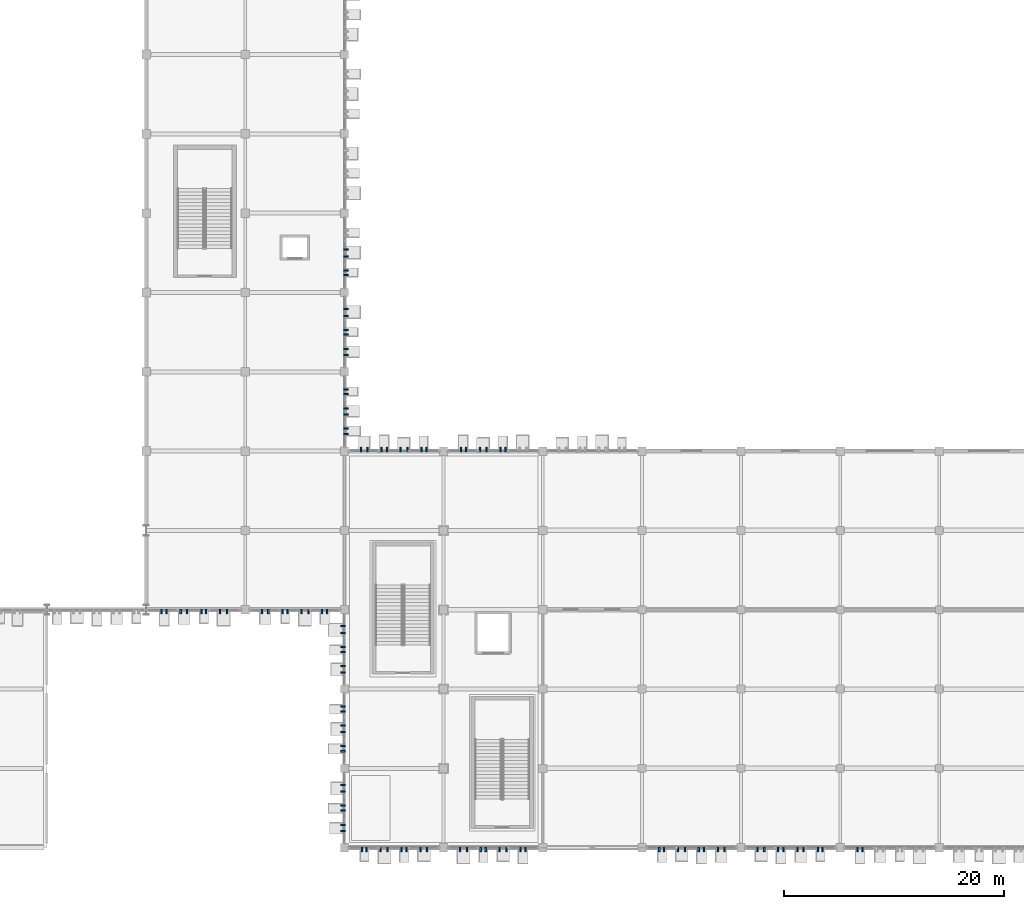
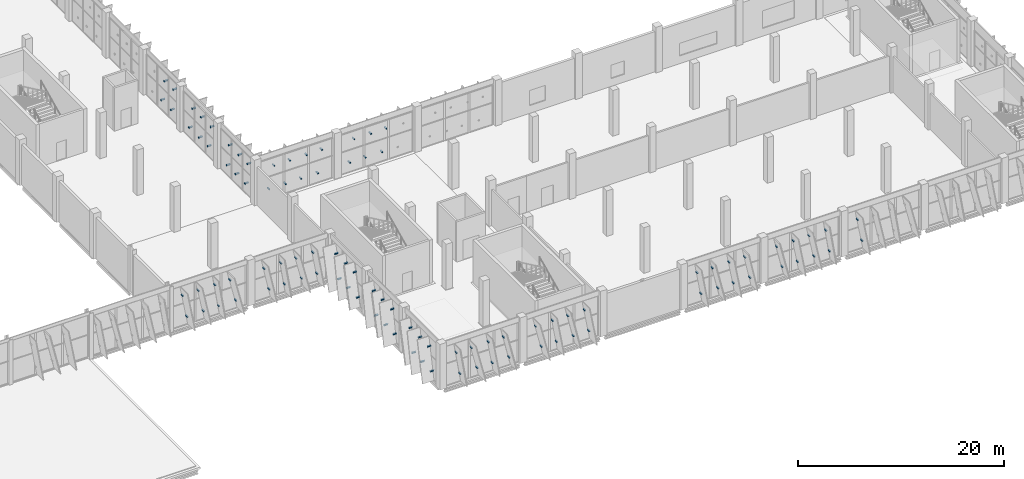
# One storey, part 150 of 189: 98 discrete accessories.
"""IFC4 building model written with IfcOpenShell, lengths in metres."""

from ifc_helpers import new_model, si_unit, direction, frame, origin, origin_2d, place, context, subcontext, project, spatial, rectangle, extrude, material, type_object, element, save


model = new_model("IFC4")

# Units and contexts
model_context = context("Model", 3, precision=1e-05, world=origin(), true_north=direction((0.0, 1.0)))
body_context = subcontext(model_context, "Body", "Model", "MODEL_VIEW")
ifc_project = project(units=[si_unit("LENGTHUNIT", "METRE"), si_unit("AREAUNIT", "SQUARE_METRE"), si_unit("VOLUMEUNIT", "CUBIC_METRE"), si_unit("PLANEANGLEUNIT", "RADIAN"), si_unit("MASSUNIT", "GRAM", prefix="KILO")], contexts=[model_context])

# Site, building, storey
site_placement = place(None, origin())
site = spatial("IfcSite", under=ifc_project, at=site_placement, CompositionType="ELEMENT")
building_placement = place(site_placement, origin())
building = spatial("IfcBuilding", under=site, at=building_placement, Name="Celestram Park Convention Centre", CompositionType="ELEMENT")
storey_placement = place(building_placement, frame((0.0, 0.0, 5.39990234375)))
storey = spatial("IfcBuildingStorey", under=building, at=storey_placement, Name="L01", CompositionType="ELEMENT", Elevation=5.39990234375)

# Discrete accessories
ifc_material = material(Name="Steel ASTM A500 Grade C", Category="steel")
discrete_accessory_type = type_object("IfcDiscreteAccessoryType", Name="ARC-BRK-OUT400", PredefinedType="BRACKET", material=ifc_material)
for number, where, z_axis, x_axis, name in (
    (1, (143.85009765625, 1.52099609375, 1.0107421875), (0.0, 0.0, 1.0), (-1.0, 0.0, 0.0), "Solar fin outrigger bracket BK-L01-0255"),
    (2, (143.85009765625, 2.0791015625, 3.61376953125), (0.0, 0.0, 1.0), (-1.0, 0.0, 0.0), "Solar fin outrigger bracket BK-L01-0256"),
    (3, (143.85009765625, 3.359619140625, 1.0029296875), (0.0, 0.0, 1.0), (-1.0, 0.0, 0.0), "Solar fin outrigger bracket BK-L01-0257"),
    (4, (143.85009765625, 3.84033203125, 3.62158203125), (0.0, 0.0, 1.0), (-1.0, 0.0, 0.0), "Solar fin outrigger bracket BK-L01-0258"),
    (5, (143.85009765625, 5.091552734375, 1.01708984375), (0.0, 0.0, 1.0), (-1.0, 0.0, 0.0), "Solar fin outrigger bracket BK-L01-0259"),
    (6, (143.85009765625, 5.70849609375, 3.60693359375), (0.0, 0.0, 1.0), (-1.0, 0.0, 0.0), "Solar fin outrigger bracket BK-L01-0260"),
    (7, (143.85009765625, 8.7568359375, 1.015625), (0.0, 0.0, 1.0), (-1.0, 0.0, 0.0), "Solar fin outrigger bracket BK-L01-0261"),
    (8, (143.85009765625, 9.2431640625, 3.6650390625), (0.0, 0.0, 1.0), (-1.0, 0.0, 0.0), "Solar fin outrigger bracket BK-L01-0262"),
    (9, (143.85009765625, 10.48779296875, 1.0302734375), (0.0, 0.0, 1.0), (-1.0, 0.0, 0.0), "Solar fin outrigger bracket BK-L01-0263"),
    (10, (143.85009765625, 11.112060546875, 3.650390625), (0.0, 0.0, 1.0), (-1.0, 0.0, 0.0), "Solar fin outrigger bracket BK-L01-0264"),
    (11, (143.85009765625, 12.370849609375, 1.01318359375), (0.0, 0.0, 1.0), (-1.0, 0.0, 0.0), "Solar fin outrigger bracket BK-L01-0265"),
    (12, (143.85009765625, 12.8291015625, 3.66748046875), (0.0, 0.0, 1.0), (-1.0, 0.0, 0.0), "Solar fin outrigger bracket BK-L01-0266"),
    (13, (143.85009765625, 15.888916015625, 1.0263671875), (0.0, 0.0, 1.0), (-1.0, 0.0, 0.0), "Solar fin outrigger bracket BK-L01-0267"),
    (14, (143.85009765625, 16.510986328125, 3.63818359375), (0.0, 0.0, 1.0), (-1.0, 0.0, 0.0), "Solar fin outrigger bracket BK-L01-0268"),
    (15, (143.85009765625, 17.771484375, 1.00927734375), (0.0, 0.0, 1.0), (-1.0, 0.0, 0.0), "Solar fin outrigger bracket BK-L01-0269"),
    (16, (143.85009765625, 18.228515625, 3.65478515625), (0.0, 0.0, 1.0), (-1.0, 0.0, 0.0), "Solar fin outrigger bracket BK-L01-0270"),
    (17, (143.85009765625, 19.479736328125, 1.0283203125), (0.0, 0.0, 1.0), (-1.0, 0.0, 0.0), "Solar fin outrigger bracket BK-L01-0271"),
    (18, (143.85009765625, 20.1201171875, 3.6357421875), (0.0, 0.0, 1.0), (-1.0, 0.0, 0.0), "Solar fin outrigger bracket BK-L01-0272"),
    (19, (142.428466796875, 21.449951171875, 1.00927734375), (0.0, 0.0, 1.0), (0.0, -1.0, 0.0), "Solar fin outrigger bracket BK-L01-0273"),
    (20, (141.971435546875, 21.449951171875, 3.65478515625), (0.0, 0.0, 1.0), (0.0, -1.0, 0.0), "Solar fin outrigger bracket BK-L01-0274"),
    (21, (140.72021484375, 21.449951171875, 1.0283203125), (0.0, 0.0, 1.0), (0.0, -1.0, 0.0), "Solar fin outrigger bracket BK-L01-0275"),
    (22, (140.079833984375, 21.449951171875, 3.6357421875), (0.0, 0.0, 1.0), (0.0, -1.0, 0.0), "Solar fin outrigger bracket BK-L01-0276"),
    (23, (138.814697265625, 21.449951171875, 1.0068359375), (0.0, 0.0, 1.0), (0.0, -1.0, 0.0), "Solar fin outrigger bracket BK-L01-0277"),
    (24, (138.385498046875, 21.449951171875, 3.6572265625), (0.0, 0.0, 1.0), (0.0, -1.0, 0.0), "Solar fin outrigger bracket BK-L01-0278"),
    (25, (137.081298828125, 21.449951171875, 1.01953125), (0.0, 0.0, 1.0), (0.0, -1.0, 0.0), "Solar fin outrigger bracket BK-L01-0279"),
    (26, (136.5185546875, 21.449951171875, 3.64453125), (0.0, 0.0, 1.0), (0.0, -1.0, 0.0), "Solar fin outrigger bracket BK-L01-0280"),
    (27, (133.338623046875, 21.449951171875, 1.0283203125), (0.0, 0.0, 1.0), (0.0, -1.0, 0.0), "Solar fin outrigger bracket BK-L01-0281"),
    (28, (132.6982421875, 21.449951171875, 3.6357421875), (0.0, 0.0, 1.0), (0.0, -1.0, 0.0), "Solar fin outrigger bracket BK-L01-0282"),
    (29, (131.43310546875, 21.449951171875, 1.0068359375), (0.0, 0.0, 1.0), (0.0, -1.0, 0.0), "Solar fin outrigger bracket BK-L01-0283"),
    (30, (131.00390625, 21.449951171875, 3.6572265625), (0.0, 0.0, 1.0), (0.0, -1.0, 0.0), "Solar fin outrigger bracket BK-L01-0284"),
    (31, (129.699951171875, 21.449951171875, 1.01953125), (0.0, 0.0, 1.0), (0.0, -1.0, 0.0), "Solar fin outrigger bracket BK-L01-0285"),
    (32, (129.13720703125, 21.449951171875, 3.64453125), (0.0, 0.0, 1.0), (0.0, -1.0, 0.0), "Solar fin outrigger bracket BK-L01-0286"),
    (33, (127.86083984375, 21.449951171875, 1.01171875), (0.0, 0.0, 1.0), (0.0, -1.0, 0.0), "Solar fin outrigger bracket BK-L01-0287"),
    (34, (127.376220703125, 21.449951171875, 3.65234375), (0.0, 0.0, 1.0), (0.0, -1.0, 0.0), "Solar fin outrigger bracket BK-L01-0288"),
    (35, (144.14990234375, 54.3212890625, 1.0322265625), (0.0, 0.0, 1.0), (1.0, 0.0, 0.0), "Solar fin outrigger bracket BK-L01-0569"),
    (36, (144.14990234375, 53.6787109375, 3.64794921875), (0.0, 0.0, 1.0), (1.0, 0.0, 0.0), "Solar fin outrigger bracket BK-L01-0570"),
    (37, (144.14990234375, 52.415283203125, 1.0107421875), (0.0, 0.0, 1.0), (1.0, 0.0, 0.0), "Solar fin outrigger bracket BK-L01-0571"),
    (38, (144.14990234375, 51.984619140625, 3.66943359375), (0.0, 0.0, 1.0), (1.0, 0.0, 0.0), "Solar fin outrigger bracket BK-L01-0572"),
    (39, (144.14990234375, 48.92138671875, 1.0322265625), (0.0, 0.0, 1.0), (1.0, 0.0, 0.0), "Solar fin outrigger bracket BK-L01-0573"),
    (40, (144.14990234375, 48.27880859375, 3.64794921875), (0.0, 0.0, 1.0), (1.0, 0.0, 0.0), "Solar fin outrigger bracket BK-L01-0574"),
    (41, (144.14990234375, 47.015380859375, 1.0107421875), (0.0, 0.0, 1.0), (1.0, 0.0, 0.0), "Solar fin outrigger bracket BK-L01-0575"),
    (42, (144.14990234375, 46.584716796875, 3.66943359375), (0.0, 0.0, 1.0), (1.0, 0.0, 0.0), "Solar fin outrigger bracket BK-L01-0576"),
    (43, (144.14990234375, 45.2822265625, 1.0234375), (0.0, 0.0, 1.0), (1.0, 0.0, 0.0), "Solar fin outrigger bracket BK-L01-0577"),
    (44, (144.14990234375, 44.7177734375, 3.6572265625), (0.0, 0.0, 1.0), (1.0, 0.0, 0.0), "Solar fin outrigger bracket BK-L01-0578"),
    (45, (144.14990234375, 41.61279296875, 0.998046875), (0.0, 0.0, 1.0), (1.0, 0.0, 0.0), "Solar fin outrigger bracket BK-L01-0579"),
    (46, (144.14990234375, 41.187255859375, 3.6259765625), (0.0, 0.0, 1.0), (1.0, 0.0, 0.0), "Solar fin outrigger bracket BK-L01-0580"),
    (47, (144.14990234375, 39.87890625, 1.0107421875), (0.0, 0.0, 1.0), (1.0, 0.0, 0.0), "Solar fin outrigger bracket BK-L01-0581"),
    (48, (144.14990234375, 39.321044921875, 3.61376953125), (0.0, 0.0, 1.0), (1.0, 0.0, 0.0), "Solar fin outrigger bracket BK-L01-0582"),
    (49, (144.14990234375, 38.040283203125, 1.0029296875), (0.0, 0.0, 1.0), (1.0, 0.0, 0.0), "Solar fin outrigger bracket BK-L01-0583"),
    (50, (144.14990234375, 37.559814453125, 3.62158203125), (0.0, 0.0, 1.0), (1.0, 0.0, 0.0), "Solar fin outrigger bracket BK-L01-0584"),
    (51, (145.52099609375, 36.14990234375, 1.0107421875), (0.0, 0.0, 1.0), (0.0, 1.0, 0.0), "Solar fin outrigger bracket BK-L01-0585"),
    (52, (146.0791015625, 36.14990234375, 3.61376953125), (0.0, 0.0, 1.0), (0.0, 1.0, 0.0), "Solar fin outrigger bracket BK-L01-0586"),
    (53, (147.359619140625, 36.14990234375, 1.0029296875), (0.0, 0.0, 1.0), (0.0, 1.0, 0.0), "Solar fin outrigger bracket BK-L01-0587"),
    (54, (147.84033203125, 36.14990234375, 3.62158203125), (0.0, 0.0, 1.0), (0.0, 1.0, 0.0), "Solar fin outrigger bracket BK-L01-0588"),
    (55, (149.091552734375, 36.14990234375, 1.01708984375), (0.0, 0.0, 1.0), (0.0, 1.0, 0.0), "Solar fin outrigger bracket BK-L01-0589"),
    (56, (149.70849609375, 36.14990234375, 3.60693359375), (0.0, 0.0, 1.0), (0.0, 1.0, 0.0), "Solar fin outrigger bracket BK-L01-0590"),
    (57, (150.973388671875, 36.14990234375, 1.00048828125), (0.0, 0.0, 1.0), (0.0, 1.0, 0.0), "Solar fin outrigger bracket BK-L01-0591"),
    (58, (151.426513671875, 36.14990234375, 3.6240234375), (0.0, 0.0, 1.0), (0.0, 1.0, 0.0), "Solar fin outrigger bracket BK-L01-0592"),
    (59, (154.559814453125, 36.14990234375, 1.0029296875), (0.0, 0.0, 1.0), (0.0, 1.0, 0.0), "Solar fin outrigger bracket BK-L01-0593"),
    (60, (155.040283203125, 36.14990234375, 3.62158203125), (0.0, 0.0, 1.0), (0.0, 1.0, 0.0), "Solar fin outrigger bracket BK-L01-0594"),
    (61, (156.29150390625, 36.14990234375, 1.01708984375), (0.0, 0.0, 1.0), (0.0, 1.0, 0.0), "Solar fin outrigger bracket BK-L01-0595"),
    (62, (156.908447265625, 36.14990234375, 3.60693359375), (0.0, 0.0, 1.0), (0.0, 1.0, 0.0), "Solar fin outrigger bracket BK-L01-0596"),
    (63, (158.17333984375, 36.14990234375, 1.00048828125), (0.0, 0.0, 1.0), (0.0, 1.0, 0.0), "Solar fin outrigger bracket BK-L01-0597"),
    (64, (158.626708984375, 36.14990234375, 3.6240234375), (0.0, 0.0, 1.0), (0.0, 1.0, 0.0), "Solar fin outrigger bracket BK-L01-0598"),
    (65, (191.040283203125, -0.14990234375, 1.0029296875), (0.0, 0.0, 1.0), (0.0, -1.0, 0.0), "Solar fin outrigger bracket BK-L01-0661"),
    (66, (190.559814453125, -0.14990234375, 3.62158203125), (0.0, 0.0, 1.0), (0.0, -1.0, 0.0), "Solar fin outrigger bracket BK-L01-0662"),
    (67, (187.412841796875, -0.14990234375, 0.998046875), (0.0, 0.0, 1.0), (0.0, -1.0, 0.0), "Solar fin outrigger bracket BK-L01-0663"),
    (68, (186.9873046875, -0.14990234375, 3.6259765625), (0.0, 0.0, 1.0), (0.0, -1.0, 0.0), "Solar fin outrigger bracket BK-L01-0664"),
    (69, (185.678955078125, -0.14990234375, 1.0107421875), (0.0, 0.0, 1.0), (0.0, -1.0, 0.0), "Solar fin outrigger bracket BK-L01-0665"),
    (70, (185.12109375, -0.14990234375, 3.61376953125), (0.0, 0.0, 1.0), (0.0, -1.0, 0.0), "Solar fin outrigger bracket BK-L01-0666"),
    (71, (183.84033203125, -0.14990234375, 1.0029296875), (0.0, 0.0, 1.0), (0.0, -1.0, 0.0), "Solar fin outrigger bracket BK-L01-0667"),
    (72, (183.359619140625, -0.14990234375, 3.62158203125), (0.0, 0.0, 1.0), (0.0, -1.0, 0.0), "Solar fin outrigger bracket BK-L01-0668"),
    (73, (182.1083984375, -0.14990234375, 1.01708984375), (0.0, 0.0, 1.0), (0.0, -1.0, 0.0), "Solar fin outrigger bracket BK-L01-0669"),
    (74, (181.491455078125, -0.14990234375, 3.60693359375), (0.0, 0.0, 1.0), (0.0, -1.0, 0.0), "Solar fin outrigger bracket BK-L01-0670"),
    (75, (178.47900390625, -0.14990234375, 1.0107421875), (0.0, 0.0, 1.0), (0.0, -1.0, 0.0), "Solar fin outrigger bracket BK-L01-0671"),
    (76, (177.9208984375, -0.14990234375, 3.61376953125), (0.0, 0.0, 1.0), (0.0, -1.0, 0.0), "Solar fin outrigger bracket BK-L01-0672"),
    (77, (176.640380859375, -0.14990234375, 1.0029296875), (0.0, 0.0, 1.0), (0.0, -1.0, 0.0), "Solar fin outrigger bracket BK-L01-0673"),
    (78, (176.15966796875, -0.14990234375, 3.62158203125), (0.0, 0.0, 1.0), (0.0, -1.0, 0.0), "Solar fin outrigger bracket BK-L01-0674"),
    (79, (174.908447265625, -0.14990234375, 1.01708984375), (0.0, 0.0, 1.0), (0.0, -1.0, 0.0), "Solar fin outrigger bracket BK-L01-0675"),
    (80, (174.29150390625, -0.14990234375, 3.60693359375), (0.0, 0.0, 1.0), (0.0, -1.0, 0.0), "Solar fin outrigger bracket BK-L01-0676"),
    (81, (173.026611328125, -0.14990234375, 1.00048828125), (0.0, 0.0, 1.0), (0.0, -1.0, 0.0), "Solar fin outrigger bracket BK-L01-0677"),
    (82, (172.573486328125, -0.14990234375, 3.6240234375), (0.0, 0.0, 1.0), (0.0, -1.0, 0.0), "Solar fin outrigger bracket BK-L01-0678"),
    (83, (160.440185546875, -0.14990234375, 1.0029296875), (0.0, 0.0, 1.0), (0.0, -1.0, 0.0), "Solar fin outrigger bracket BK-L01-0679"),
    (84, (159.959716796875, -0.14990234375, 3.62158203125), (0.0, 0.0, 1.0), (0.0, -1.0, 0.0), "Solar fin outrigger bracket BK-L01-0680"),
    (85, (158.70849609375, -0.14990234375, 1.01708984375), (0.0, 0.0, 1.0), (0.0, -1.0, 0.0), "Solar fin outrigger bracket BK-L01-0681"),
    (86, (158.091552734375, -0.14990234375, 3.60693359375), (0.0, 0.0, 1.0), (0.0, -1.0, 0.0), "Solar fin outrigger bracket BK-L01-0682"),
    (87, (156.82666015625, -0.14990234375, 1.00048828125), (0.0, 0.0, 1.0), (0.0, -1.0, 0.0), "Solar fin outrigger bracket BK-L01-0683"),
    (88, (156.373291015625, -0.14990234375, 3.6240234375), (0.0, 0.0, 1.0), (0.0, -1.0, 0.0), "Solar fin outrigger bracket BK-L01-0684"),
    (89, (155.117431640625, -0.14990234375, 1.01953125), (0.0, 0.0, 1.0), (0.0, -1.0, 0.0), "Solar fin outrigger bracket BK-L01-0685"),
    (90, (154.482421875, -0.14990234375, 3.60498046875), (0.0, 0.0, 1.0), (0.0, -1.0, 0.0), "Solar fin outrigger bracket BK-L01-0686"),
    (91, (151.508544921875, -0.14990234375, 1.01708984375), (0.0, 0.0, 1.0), (0.0, -1.0, 0.0), "Solar fin outrigger bracket BK-L01-0687"),
    (92, (150.8916015625, -0.14990234375, 3.60693359375), (0.0, 0.0, 1.0), (0.0, -1.0, 0.0), "Solar fin outrigger bracket BK-L01-0688"),
    (93, (149.626708984375, -0.14990234375, 1.00048828125), (0.0, 0.0, 1.0), (0.0, -1.0, 0.0), "Solar fin outrigger bracket BK-L01-0689"),
    (94, (149.17333984375, -0.14990234375, 3.6240234375), (0.0, 0.0, 1.0), (0.0, -1.0, 0.0), "Solar fin outrigger bracket BK-L01-0690"),
    (95, (147.91748046875, -0.14990234375, 1.01953125), (0.0, 0.0, 1.0), (0.0, -1.0, 0.0), "Solar fin outrigger bracket BK-L01-0691"),
    (96, (147.282470703125, -0.14990234375, 3.60498046875), (0.0, 0.0, 1.0), (0.0, -1.0, 0.0), "Solar fin outrigger bracket BK-L01-0692"),
    (97, (146.0126953125, -0.14990234375, 0.998046875), (0.0, 0.0, 1.0), (0.0, -1.0, 0.0), "Solar fin outrigger bracket BK-L01-0693"),
    (98, (145.587158203125, -0.14990234375, 3.6259765625), (0.0, 0.0, 1.0), (0.0, -1.0, 0.0), "Solar fin outrigger bracket BK-L01-0694"),
):
    element("IfcDiscreteAccessory", number, at=place(storey_placement, frame(where, z_axis=z_axis, x_axis=x_axis)), inside=storey, type_object=discrete_accessory_type, Name=name, PredefinedType="BRACKET", context=body_context, shape_type="SweptSolid", body=[
        extrude(rectangle(XDim=0.39990234375, YDim=0.139892578125, at=origin_2d()), origin(), (0.0, 0.0, 1.0), 0.139892578125),
    ])

save(model, "model.ifc")
